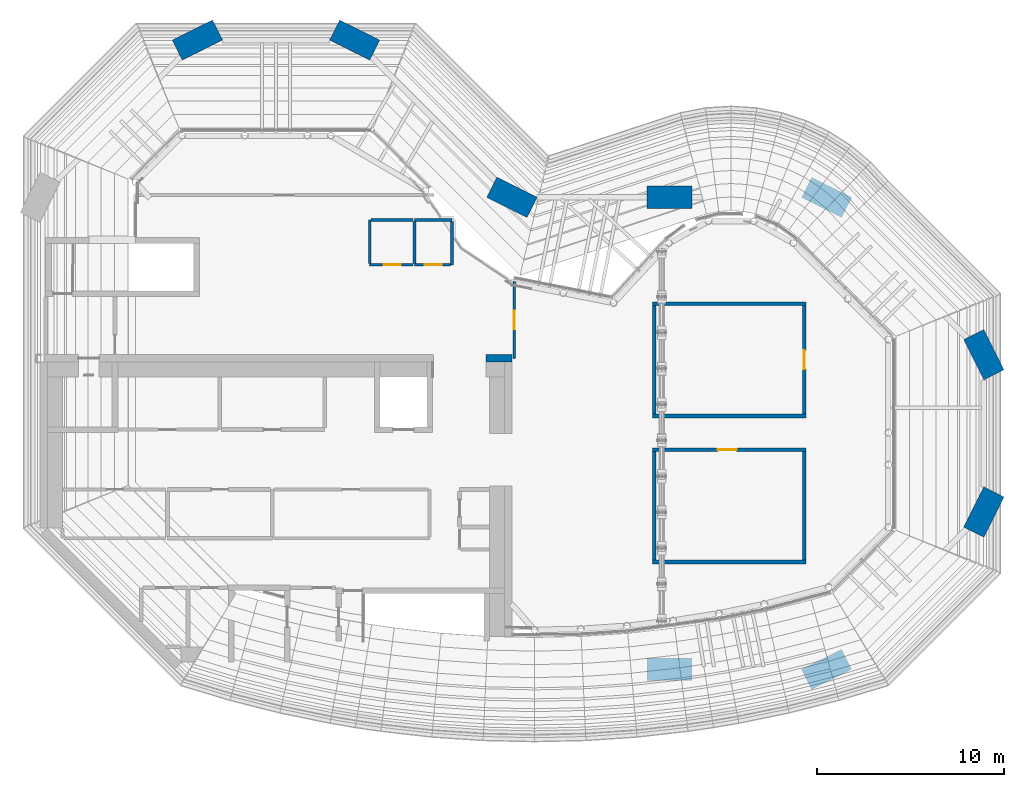
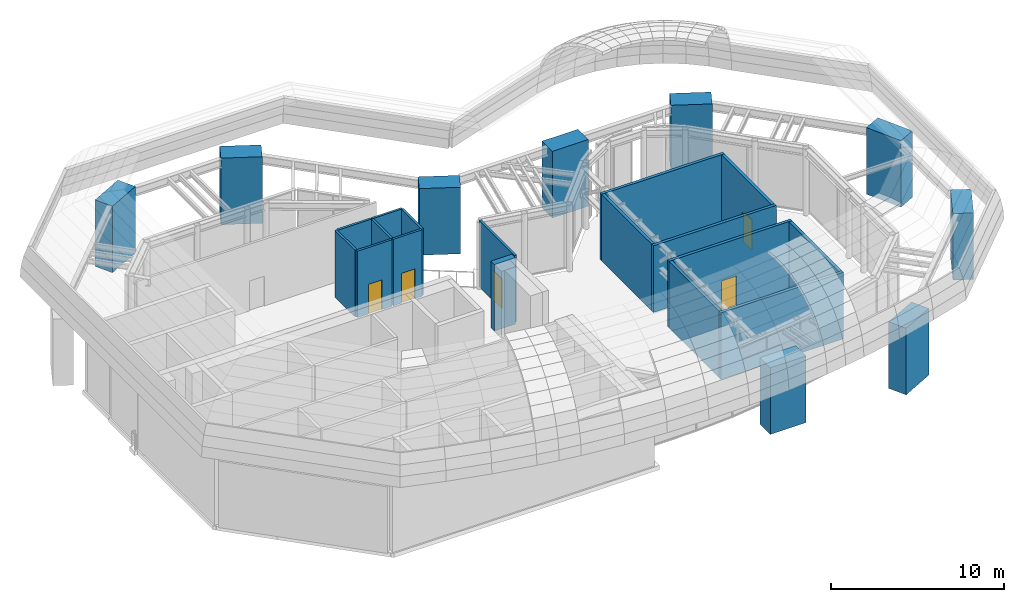
# One storey, part 18 of 20: 26 walls, 5 doors, 5 openings.
"""IFC4 building model written with IfcOpenShell, lengths in metres."""

from ifc_helpers import new_model, si_unit, direction, frame, frame_2d, origin, place, context, subcontext, project, spatial, rectangle, extrude, material, layer, layer_set, type_object, element, fill, save


model = new_model("IFC4")

# Units and contexts
model_context = context("Model", 3, precision=1e-05, world=origin(), true_north=direction((0.0, 1.0)))
body_context = subcontext(model_context, "Body", "Model", "MODEL_VIEW")
ifc_project = project(units=[si_unit("LENGTHUNIT", "METRE"), si_unit("AREAUNIT", "SQUARE_METRE"), si_unit("VOLUMEUNIT", "CUBIC_METRE"), si_unit("PLANEANGLEUNIT", "RADIAN"), si_unit("MASSUNIT", "GRAM", prefix="KILO")], contexts=[model_context])

# Site, building, storey
site_placement = place(None, origin())
site = spatial("IfcSite", under=ifc_project, at=site_placement, CompositionType="ELEMENT")
building_placement = place(site_placement, origin())
building = spatial("IfcBuilding", under=site, at=building_placement, Name="Brevane Broadcast Tower", CompositionType="ELEMENT")
storey_placement = place(building_placement, frame((0.0, 0.0, 264.199951171875)))
storey = spatial("IfcBuildingStorey", under=building, at=storey_placement, Name="L66", CompositionType="ELEMENT", Elevation=264.199951171875)

# Walls
ifc_material_1 = material(Name="Concrete C60/75", Category="concrete")
ifc_layer_1 = layer(ifc_material_1, 1.199951171875)
ifc_layer_set_1 = layer_set([ifc_layer_1], Name="CONCRETE CANOPY PIER WALL 1200 C60/75")
wall_type_1 = type_object("IfcWallType", Name="CONCRETE CANOPY PIER WALL 1200 C60/75", PredefinedType="SOLIDWALL", material=ifc_layer_set_1)
wall_1_placement = place(storey_placement, frame((9.473388671875, 34.13671875, 0.0), z_axis=(0.0, 0.0, 1.0), x_axis=(-0.894406846464, -0.447254282259, 0.0)))
element("IfcWall", 1, at=wall_1_placement, inside=storey, type_object=wall_type_1, Name="CP1 2", PredefinedType="SOLIDWALL", context=body_context, shape_type="SweptSolid", body=[
    extrude(rectangle(XDim=2.400146484375, YDim=1.199951171875, at=frame_2d((1.2001953125, 0.0))), origin(), (0.0, 0.0, 1.0), 4.699951171875),
])
for number, where, z_axis, x_axis, name in (
    (2, (17.873291015625, 33.063232421875, 0.0), (0.0, 0.0, 1.0), (-0.894386496374, 0.447294975496, 0.0), "CP1 3"),
    (3, (26.273193359375, 24.663330078125, 0.0), (0.0, 0.0, 1.0), (-0.894427191, 0.4472135955, 0.0), "CP1 4"),
):
    element("IfcWall", number, at=place(storey_placement, frame(where, z_axis=z_axis, x_axis=x_axis)), inside=storey, type_object=wall_type_1, Name=name, PredefinedType="SOLIDWALL", context=body_context, shape_type="SweptSolid", body=[
        extrude(rectangle(XDim=2.39990234375, YDim=1.199951171875, at=frame_2d((1.199951171875, 0.0))), origin(), (0.0, 0.0, 1.0), 4.699951171875),
    ])
for number, where, z_axis, x_axis, name in (
    (4, (32.39990234375, 0.0, 0.0), (0.0, 0.0, 1.0), (1.0, 0.0, 0.0), "CP1 5"),
    (5, (34.800048828125, 25.199951171875, 0.0), (0.0, 0.0, 1.0), (-1.0, 0.0, 0.0), "CP1 6"),
):
    element("IfcWall", number, at=place(storey_placement, frame(where, z_axis=z_axis, x_axis=x_axis)), inside=storey, type_object=wall_type_1, Name=name, PredefinedType="SOLIDWALL", context=body_context, shape_type="SweptSolid", body=[
        extrude(rectangle(XDim=2.400146484375, YDim=1.199951171875, at=frame_2d((1.2001953125, 0.0))), origin(), (0.0, 0.0, 1.0), 4.699951171875),
    ])
for number, where, z_axis, x_axis, name in (
    (6, (40.9267578125, -0.53662109375, 0.0), (0.0, 0.0, 1.0), (0.894427191, 0.4472135955, 0.0), "CP1 7"),
    (7, (43.0732421875, 24.663330078125, 0.0), (0.0, 0.0, 1.0), (-0.894427191, 0.4472135955, 0.0), "CP1 8"),
):
    element("IfcWall", number, at=place(storey_placement, frame(where, z_axis=z_axis, x_axis=x_axis)), inside=storey, type_object=wall_type_1, Name=name, PredefinedType="SOLIDWALL", context=body_context, shape_type="SweptSolid", body=[
        extrude(rectangle(XDim=2.39990234375, YDim=1.199951171875, at=frame_2d((1.199951171875, 0.0))), origin(), (0.0, 0.0, 1.0), 4.699951171875),
    ])
wall_2_placement = place(storey_placement, frame((49.86328125, 7.32666015625, 0.0), z_axis=(0.0, 0.0, 1.0), x_axis=(0.447254282259, 0.894406846464, 0.0)))
element("IfcWall", 8, at=wall_2_placement, inside=storey, type_object=wall_type_1, Name="CP1 9", PredefinedType="SOLIDWALL", context=body_context, shape_type="SweptSolid", body=[
    extrude(rectangle(XDim=2.400146484375, YDim=1.199951171875, at=frame_2d((1.2001953125, 0.0))), origin(), (0.0, 0.0, 1.0), 4.699951171875),
])
wall_3_placement = place(storey_placement, frame((50.936767578125, 15.726806640625, 0.0), z_axis=(0.0, 0.0, 1.0), x_axis=(-0.447294975496, 0.894386496374, 0.0)))
element("IfcWall", 9, at=wall_3_placement, inside=storey, type_object=wall_type_1, Name="CP1 10", PredefinedType="SOLIDWALL", context=body_context, shape_type="SweptSolid", body=[
    extrude(rectangle(XDim=2.39990234375, YDim=1.199951171875, at=frame_2d((1.199951171875, 0.0))), origin(), (0.0, 0.0, 1.0), 4.699951171875),
])
ifc_material_2 = material(Name="Gypsum board on steel studs", Category="steel")
ifc_layer_2 = layer(ifc_material_2, 0.14990234375)
ifc_layer_set_2 = layer_set([ifc_layer_2], Name="Core fire partition 150 mm")
wall_type_2 = type_object("IfcWallType", Name="Core fire partition 150 mm", PredefinedType="PARTITIONING", material=ifc_layer_set_2)
wall_4_placement = place(storey_placement, frame((20.0, 24.0, 0.0), z_axis=(0.0, 0.0, 1.0), x_axis=(1.0, 0.0, 0.0)))
element("IfcWall", 10, at=wall_4_placement, inside=storey, type_object=wall_type_2, Name="L66 partition wall P26", PredefinedType="PARTITIONING", context=body_context, shape_type="SweptSolid", body=[
    extrude(rectangle(XDim=2.0, YDim=0.14990234375, at=frame_2d((1.0, 0.0))), origin(), (0.0, 0.0, 1.0), 4.699951171875),
])
wall_5_placement = place(storey_placement, frame((22.0, 23.925048828125, 0.0), z_axis=(0.0, 0.0, 1.0), x_axis=(0.0, -1.0, 0.0)))
element("IfcWall", 11, at=wall_5_placement, inside=storey, type_object=wall_type_2, Name="L66 partition wall P27", PredefinedType="PARTITIONING", context=body_context, shape_type="SweptSolid", body=[
    extrude(rectangle(XDim=2.324951171875, YDim=0.14990234375, at=frame_2d((1.16259765625, 0.0))), origin(), (0.0, 0.0, 1.0), 4.699951171875),
])

# Wall, opening, door
wall_6_placement = place(storey_placement, frame((21.925048828125, 21.60009765625, 0.0), z_axis=(0.0, 0.0, 1.0), x_axis=(-1.0, 0.0, 0.0)))
wall_6 = element("IfcWall", 12, at=wall_6_placement, inside=storey, type_object=wall_type_2, Name="L66 partition wall P28", PredefinedType="PARTITIONING", context=body_context, shape_type="SweptSolid", body=[
    extrude(rectangle(XDim=1.925048828125, YDim=0.14990234375, at=frame_2d((0.96240234375, 0.0))), origin(), (0.0, 0.0, 1.0), 4.699951171875),
])
opening_1_placement = place(wall_6_placement, frame((0.47509765625, 0.0, 0.0)))
opening_1 = element("IfcOpeningElement", 13, at=opening_1_placement, cuts=wall_6, Name="Opening L66-K18", PredefinedType="OPENING", context=body_context, shape_type="SweptSolid", body=[
    extrude(rectangle(XDim=0.89990234375, YDim=2.10009765625, at=frame_2d((0.449951171875, 1.050048828125))), frame((0.0, 0.0849609375, 0.0), z_axis=(0.0, -1.0, 0.0), x_axis=(1.0, 0.0, 0.0)), (0.0, 0.0, 1.0), 0.169921875),
])
ifc_material_3 = material(Name="Timber", Category="wood")
door_type_1 = type_object("IfcDoorType", Name="Toilet door 900 x 2100", OperationType="SINGLE_SWING_LEFT", PredefinedType="DOOR", material=ifc_material_3)
door_1_placement = place(opening_1_placement, origin())
door_1 = element("IfcDoor", 14, at=door_1_placement, inside=storey, type_object=door_type_1, Name="Door L66-K18", OperationType="SINGLE_SWING_RIGHT", OverallHeight=2.10009765625, OverallWidth=0.89990234375, PredefinedType="DOOR", context=body_context, shape_type="SweptSolid", body=[
    extrude(rectangle(XDim=0.89990234375, YDim=2.10009765625, at=frame_2d((0.449951171875, 1.050048828125))), frame((0.0, 0.02490234375, 0.0), z_axis=(0.0, -1.0, 0.0), x_axis=(1.0, 0.0, 0.0)), (0.0, 0.0, 1.0), 0.050048828125),
])
fill(opening_1, door_1)

# Wall
wall_7_placement = place(storey_placement, frame((20.0, 21.675048828125, 0.0), z_axis=(0.0, 0.0, 1.0), x_axis=(0.0, 1.0, 0.0)))
element("IfcWall", 15, at=wall_7_placement, inside=storey, type_object=wall_type_2, Name="L66 partition wall P29", PredefinedType="PARTITIONING", context=body_context, shape_type="SweptSolid", body=[
    extrude(rectangle(XDim=2.25, YDim=0.14990234375, at=frame_2d((1.125, 0.0))), origin(), (0.0, 0.0, 1.0), 4.699951171875),
])

# Wall, opening, door
wall_8_placement = place(storey_placement, frame((19.925048828125, 21.60009765625, 0.0), z_axis=(0.0, 0.0, 1.0), x_axis=(-1.0, 0.0, 0.0)))
wall_8 = element("IfcWall", 16, at=wall_8_placement, inside=storey, type_object=wall_type_2, Name="L66 partition wall P30", PredefinedType="PARTITIONING", context=body_context, shape_type="SweptSolid", body=[
    extrude(rectangle(XDim=2.324951171875, YDim=0.14990234375, at=frame_2d((1.16259765625, 0.0))), origin(), (0.0, 0.0, 1.0), 4.699951171875),
])
opening_2_placement = place(wall_8_placement, frame((0.675048828125, 0.0, 0.0)))
opening_2 = element("IfcOpeningElement", 17, at=opening_2_placement, cuts=wall_8, Name="Opening L66-K19", PredefinedType="OPENING", context=body_context, shape_type="SweptSolid", body=[
    extrude(rectangle(XDim=0.89990234375, YDim=2.10009765625, at=frame_2d((0.449951171875, 1.050048828125))), frame((0.0, 0.0849609375, 0.0), z_axis=(0.0, -1.0, 0.0), x_axis=(1.0, 0.0, 0.0)), (0.0, 0.0, 1.0), 0.169921875),
])
ifc_material_4 = material(Name="Steel", Category="steel")
door_type_2 = type_object("IfcDoorType", Name="Service room door 900 x 2100", OperationType="SINGLE_SWING_LEFT", PredefinedType="DOOR", material=ifc_material_4)
door_2_placement = place(opening_2_placement, origin())
door_2 = element("IfcDoor", 18, at=door_2_placement, inside=storey, type_object=door_type_2, Name="Door L66-K19", OperationType="SINGLE_SWING_LEFT", OverallHeight=2.10009765625, OverallWidth=0.89990234375, PredefinedType="DOOR", context=body_context, shape_type="SweptSolid", body=[
    extrude(rectangle(XDim=0.89990234375, YDim=2.10009765625, at=frame_2d((0.449951171875, 1.050048828125))), frame((0.0, 0.02490234375, 0.0), z_axis=(0.0, -1.0, 0.0), x_axis=(1.0, 0.0, 0.0)), (0.0, 0.0, 1.0), 0.050048828125),
])
fill(opening_2, door_2)

# Walls
wall_9_placement = place(storey_placement, frame((17.60009765625, 21.675048828125, 0.0), z_axis=(0.0, 0.0, 1.0), x_axis=(0.0, 1.0, 0.0)))
element("IfcWall", 19, at=wall_9_placement, inside=storey, type_object=wall_type_2, Name="L66 partition wall P31", PredefinedType="PARTITIONING", context=body_context, shape_type="SweptSolid", body=[
    extrude(rectangle(XDim=2.324951171875, YDim=0.14990234375, at=frame_2d((1.16259765625, 0.0))), origin(), (0.0, 0.0, 1.0), 4.699951171875),
])
wall_10_placement = place(storey_placement, frame((17.675048828125, 24.0, 0.0), z_axis=(0.0, 0.0, 1.0), x_axis=(1.0, 0.0, 0.0)))
element("IfcWall", 20, at=wall_10_placement, inside=storey, type_object=wall_type_2, Name="L66 partition wall P32", PredefinedType="PARTITIONING", context=body_context, shape_type="SweptSolid", body=[
    extrude(rectangle(XDim=2.25, YDim=0.14990234375, at=frame_2d((1.125, 0.0))), origin(), (0.0, 0.0, 1.0), 4.699951171875),
])
ifc_material_5 = material(Name="Concrete C50/60", Category="concrete")
ifc_layer_3 = layer(ifc_material_5, 0.39990234375)
ifc_layer_set_3 = layer_set([ifc_layer_3], Name="Core wall 400 mm C50/60")
wall_type_3 = type_object("IfcWallType", Name="Core wall 400 mm C50/60", PredefinedType="SHEAR", material=ifc_layer_set_3)
wall_11_placement = place(storey_placement, frame((23.800048828125, 16.60009765625, 0.0), z_axis=(0.0, 0.0, 1.0), x_axis=(1.0, 0.0, 0.0)))
element("IfcWall", 21, at=wall_11_placement, inside=storey, type_object=wall_type_3, Name="L66 outer wall WN2", PredefinedType="SHEAR", context=body_context, shape_type="SweptSolid", body=[
    extrude(rectangle(XDim=1.39990234375, YDim=0.39990234375, at=frame_2d((0.699951171875, 0.0))), origin(), (0.0, 0.0, 1.0), 4.699951171875),
])

# Wall, opening, door
ifc_material_6 = material(Name="Gypsum board partition")
ifc_layer_4 = layer(ifc_material_6, 0.14990234375)
ifc_layer_set_4 = layer_set([ifc_layer_4], Name="Crown partition 150")
wall_type_4 = type_object("IfcWallType", Name="Crown partition 150", PredefinedType="PARTITIONING", material=ifc_layer_set_4)
wall_12_placement = place(storey_placement, frame((25.324951171875, 16.60009765625, 0.0), z_axis=(0.0, 0.0, 1.0), x_axis=(0.0, 1.0, 0.0)))
wall_12 = element("IfcWall", 22, at=wall_12_placement, inside=storey, type_object=wall_type_4, Name="Partition between hall and gallery", PredefinedType="PARTITIONING", context=body_context, shape_type="SweptSolid", body=[
    extrude(rectangle(XDim=4.099609375, YDim=0.14990234375, at=frame_2d((2.0498046875, 0.0))), origin(), (0.0, 0.0, 1.0), 4.699951171875),
])
opening_3_placement = place(wall_12_placement, frame((1.5498046875, 0.0, 0.0)))
opening_3 = element("IfcOpeningElement", 23, at=opening_3_placement, cuts=wall_12, Name="Opening CR07", PredefinedType="OPENING", context=body_context, shape_type="SweptSolid", body=[
    extrude(rectangle(XDim=1.0, YDim=2.10009765625, at=frame_2d((0.5, 1.050048828125))), frame((0.0, 0.0849609375, 0.0), z_axis=(0.0, -1.0, 0.0), x_axis=(1.0, 0.0, 0.0)), (0.0, 0.0, 1.0), 0.169921875),
])
door_type_3 = type_object("IfcDoorType", Name="Plant room door 1000 x 2100", OperationType="SINGLE_SWING_LEFT", PredefinedType="DOOR", material=ifc_material_4)
door_3_placement = place(opening_3_placement, origin())
door_3 = element("IfcDoor", 24, at=door_3_placement, inside=storey, type_object=door_type_3, Name="Door", OperationType="SINGLE_SWING_LEFT", OverallHeight=2.10009765625, OverallWidth=1.0, PredefinedType="DOOR", context=body_context, shape_type="SweptSolid", body=[
    extrude(rectangle(XDim=1.0, YDim=2.10009765625, at=frame_2d((0.5, 1.050048828125))), frame((0.0, 0.02490234375, 0.0), z_axis=(0.0, -1.0, 0.0), x_axis=(1.0, 0.0, 0.0)), (0.0, 0.0, 1.0), 0.050048828125),
])
fill(opening_3, door_3)

# Walls
ifc_material_7 = material(Name="Concrete block wall", Category="concrete")
ifc_layer_5 = layer(ifc_material_7, 0.199951171875)
ifc_layer_set_5 = layer_set([ifc_layer_5], Name="Crown plant wall 200")
wall_type_5 = type_object("IfcWallType", Name="Crown plant wall 200", PredefinedType="PARTITIONING", material=ifc_layer_set_5)
for number, where, z_axis, x_axis, name in (
    (25, (32.699951171875, 13.527099609375, 0.0), (0.0, 0.0, 1.0), (1.0, 0.0, 0.0), "Partition s"),
    (26, (32.699951171875, 19.527099609375, 0.0), (0.0, 0.0, 1.0), (1.0, 0.0, 0.0), "Partition n"),
):
    element("IfcWall", number, at=place(storey_placement, frame(where, z_axis=z_axis, x_axis=x_axis)), inside=storey, type_object=wall_type_5, Name=name, PredefinedType="PARTITIONING", context=body_context, shape_type="SweptSolid", body=[
        extrude(rectangle(XDim=8.199951171875, YDim=0.199951171875, at=frame_2d((4.10009765625, 0.0))), origin(), (0.0, 0.0, 1.0), 4.699951171875),
    ])
wall_13_placement = place(storey_placement, frame((32.800048828125, 13.627197265625, 0.0), z_axis=(0.0, 0.0, 1.0), x_axis=(0.0, 1.0, 0.0)))
element("IfcWall", 27, at=wall_13_placement, inside=storey, type_object=wall_type_5, Name="Partition w", PredefinedType="PARTITIONING", context=body_context, shape_type="SweptSolid", body=[
    extrude(rectangle(XDim=5.800048828125, YDim=0.199951171875, at=frame_2d((2.89990234375, 0.0))), origin(), (0.0, 0.0, 1.0), 4.699951171875),
])

# Wall, opening, door
wall_14_placement = place(storey_placement, frame((40.800048828125, 13.627197265625, 0.0), z_axis=(0.0, 0.0, 1.0), x_axis=(0.0, 1.0, 0.0)))
wall_14 = element("IfcWall", 28, at=wall_14_placement, inside=storey, type_object=wall_type_5, Name="Partition e", PredefinedType="PARTITIONING", context=body_context, shape_type="SweptSolid", body=[
    extrude(rectangle(XDim=5.800048828125, YDim=0.199951171875, at=frame_2d((2.89990234375, 0.0))), origin(), (0.0, 0.0, 1.0), 4.699951171875),
])
opening_4_placement = place(wall_14_placement, frame((2.39990234375, 0.0, 0.0)))
opening_4 = element("IfcOpeningElement", 29, at=opening_4_placement, cuts=wall_14, Name="Opening CR04", PredefinedType="OPENING", context=body_context, shape_type="SweptSolid", body=[
    extrude(rectangle(XDim=1.0, YDim=2.10009765625, at=frame_2d((0.5, 1.050048828125))), frame((0.0, 0.10986328125, 0.0), z_axis=(0.0, -1.0, 0.0), x_axis=(1.0, 0.0, 0.0)), (0.0, 0.0, 1.0), 0.219970703125),
])
door_4_placement = place(opening_4_placement, origin())
door_4 = element("IfcDoor", 30, at=door_4_placement, inside=storey, type_object=door_type_3, Name="Door", OperationType="SINGLE_SWING_LEFT", OverallHeight=2.10009765625, OverallWidth=1.0, PredefinedType="DOOR", context=body_context, shape_type="SweptSolid", body=[
    extrude(rectangle(XDim=1.0, YDim=2.10009765625, at=frame_2d((0.5, 1.050048828125))), frame((0.0, 0.02490234375, 0.0), z_axis=(0.0, -1.0, 0.0), x_axis=(1.0, 0.0, 0.0)), (0.0, 0.0, 1.0), 0.050048828125),
])
fill(opening_4, door_4)

# Wall
wall_15_placement = place(storey_placement, frame((32.699951171875, 5.727294921875, 0.0), z_axis=(0.0, 0.0, 1.0), x_axis=(1.0, 0.0, 0.0)))
element("IfcWall", 31, at=wall_15_placement, inside=storey, type_object=wall_type_5, Name="Partition s", PredefinedType="PARTITIONING", context=body_context, shape_type="SweptSolid", body=[
    extrude(rectangle(XDim=8.199951171875, YDim=0.199951171875, at=frame_2d((4.10009765625, 0.0))), origin(), (0.0, 0.0, 1.0), 4.699951171875),
])

# Wall, opening, door
wall_16_placement = place(storey_placement, frame((32.699951171875, 11.727294921875, 0.0), z_axis=(0.0, 0.0, 1.0), x_axis=(1.0, 0.0, 0.0)))
wall_16 = element("IfcWall", 32, at=wall_16_placement, inside=storey, type_object=wall_type_5, Name="Partition n", PredefinedType="PARTITIONING", context=body_context, shape_type="SweptSolid", body=[
    extrude(rectangle(XDim=8.199951171875, YDim=0.199951171875, at=frame_2d((4.10009765625, 0.0))), origin(), (0.0, 0.0, 1.0), 4.699951171875),
])
opening_5_placement = place(wall_16_placement, frame((3.5, 0.0, 0.0)))
opening_5 = element("IfcOpeningElement", 33, at=opening_5_placement, cuts=wall_16, Name="Opening CR05", PredefinedType="OPENING", context=body_context, shape_type="SweptSolid", body=[
    extrude(rectangle(XDim=1.0, YDim=2.10009765625, at=frame_2d((0.5, 1.050048828125))), frame((0.0, 0.10986328125, 0.0), z_axis=(0.0, -1.0, 0.0), x_axis=(1.0, 0.0, 0.0)), (0.0, 0.0, 1.0), 0.219970703125),
])
door_5_placement = place(opening_5_placement, origin())
door_5 = element("IfcDoor", 34, at=door_5_placement, inside=storey, type_object=door_type_3, Name="Door", OperationType="SINGLE_SWING_LEFT", OverallHeight=2.10009765625, OverallWidth=1.0, PredefinedType="DOOR", context=body_context, shape_type="SweptSolid", body=[
    extrude(rectangle(XDim=1.0, YDim=2.10009765625, at=frame_2d((0.5, 1.050048828125))), frame((0.0, 0.02490234375, 0.0), z_axis=(0.0, -1.0, 0.0), x_axis=(1.0, 0.0, 0.0)), (0.0, 0.0, 1.0), 0.050048828125),
])
fill(opening_5, door_5)

# Walls
for number, where, z_axis, x_axis, name in (
    (35, (32.800048828125, 5.8271484375, 0.0), (0.0, 0.0, 1.0), (0.0, 1.0, 0.0), "Partition w"),
    (36, (40.800048828125, 5.8271484375, 0.0), (0.0, 0.0, 1.0), (0.0, 1.0, 0.0), "Partition e"),
):
    element("IfcWall", number, at=place(storey_placement, frame(where, z_axis=z_axis, x_axis=x_axis)), inside=storey, type_object=wall_type_5, Name=name, PredefinedType="PARTITIONING", context=body_context, shape_type="SweptSolid", body=[
        extrude(rectangle(XDim=5.800048828125, YDim=0.199951171875, at=frame_2d((2.89990234375, 0.0))), origin(), (0.0, 0.0, 1.0), 4.699951171875),
    ])

save(model, "model.ifc")
